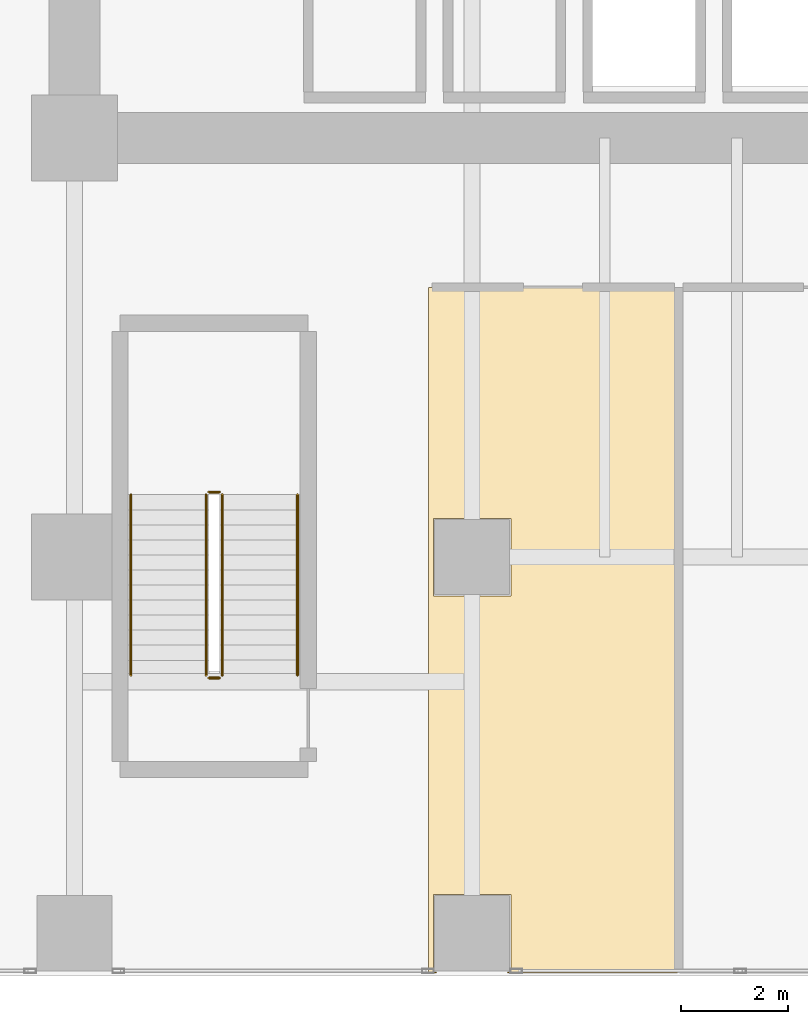
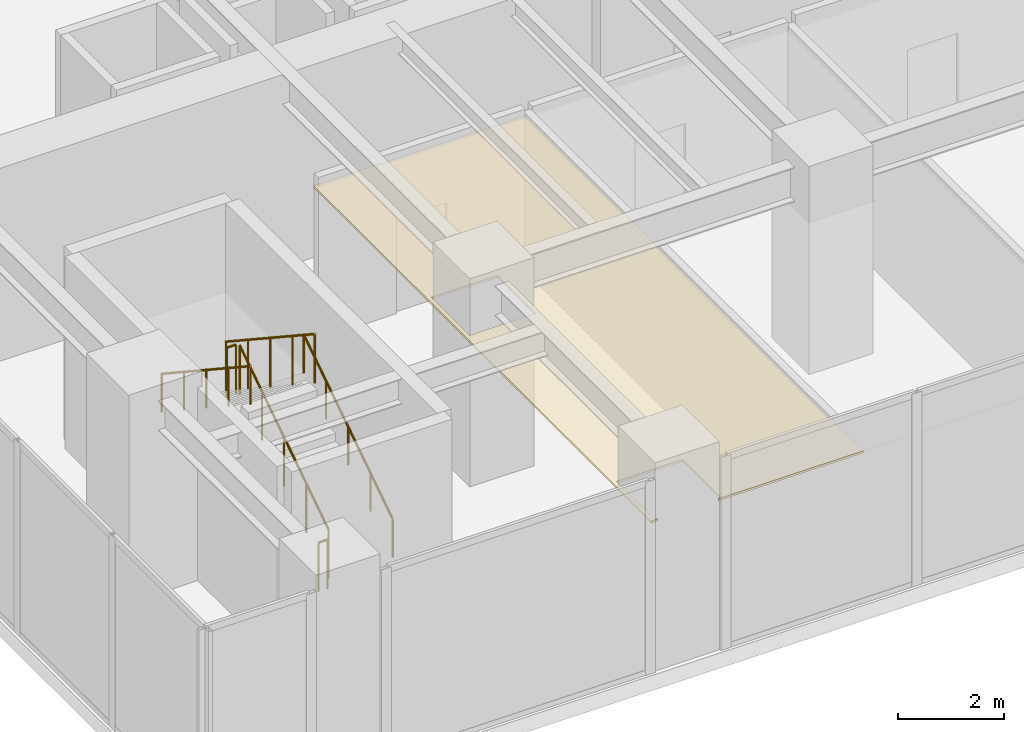
# One storey, part 31 of 33: 6 railings, 1 covering.
"""IFC4 building model written with IfcOpenShell, lengths in metres."""

from ifc_helpers import new_model, si_unit, direction, frame, origin, origin_2d, place, context, subcontext, project, spatial, polyline, circle, outline, extrude, source, transform, mapped, material, layer, layer_set, type_object, type_shapes, element, save


model = new_model("IFC4")

# Units and contexts
model_context = context("Model", 3, precision=1e-05, world=origin(), true_north=direction((0.0, 1.0)))
body_context = subcontext(model_context, "Body", "Model", "MODEL_VIEW")
ifc_project = project(units=[si_unit("LENGTHUNIT", "METRE"), si_unit("AREAUNIT", "SQUARE_METRE"), si_unit("VOLUMEUNIT", "CUBIC_METRE"), si_unit("PLANEANGLEUNIT", "RADIAN"), si_unit("MASSUNIT", "GRAM", prefix="KILO")], contexts=[model_context])

# Site, building, storey
site_placement = place(None, origin())
site = spatial("IfcSite", under=ifc_project, at=site_placement, CompositionType="ELEMENT")
building_placement = place(site_placement, origin())
building = spatial("IfcBuilding", under=site, at=building_placement, Name="Haelvirn Gate Laboratories", CompositionType="ELEMENT")
storey_placement = place(building_placement, frame((0.0, 0.0, 10.199951171875)))
storey = spatial("IfcBuildingStorey", under=building, at=storey_placement, Name="L03", CompositionType="ELEMENT", Elevation=10.199951171875)

# Covering
ifc_material_1 = material(Name="Washable cleanroom gasketed aluminium ceiling", Category="aluminium")
ifc_layer = layer(ifc_material_1, 0.050048828125, Name="COV-CEIL-CLN")
ifc_layer_set = layer_set([ifc_layer], Name="Washable cleanroom gasketed aluminium ceiling")
covering_type = type_object("IfcCoveringType", Name="COV-CEIL-CLN", PredefinedType="CEILING", material=ifc_layer_set)
covering_placement = place(storey_placement, frame((0.0, 0.0, 3.469970703125)))
element("IfcCovering", 1, at=covering_placement, inside=storey, type_object=covering_type, Name="L03 Laboratory Acoustic Ceiling CEIL-SP-L03-PODS-E-1", PredefinedType="CEILING", context=body_context, shape_type="SweptSolid", body=[
    extrude(outline(polyline([(60.659912109375, -0.719970703125), (60.719970703125, -0.719970703125), (60.719970703125, 0.719970703125), (59.280029296875, 0.719970703125), (59.280029296875, -0.719970703125), (59.340087890625, -0.719970703125), (59.340087890625, -0.739990234375), (59.18994140625, -0.739990234375), (59.18994140625, 12.02001953125), (63.822021484375, 12.02001953125), (63.822021484375, -0.739990234375), (60.659912109375, -0.739990234375), (60.659912109375, -0.719970703125)]), holes=[polyline([(59.280029296875, 7.719970703125), (59.280029296875, 6.280029296875), (60.719970703125, 6.280029296875), (60.719970703125, 7.719970703125), (59.280029296875, 7.719970703125)])]), origin(), (0.0, 0.0, 1.0), 0.050048828125),
])

# Railings
ifc_material_2 = material(Name="Galvanised steel SM355 & stainless top rail", Category="steel")
railing_type_1 = type_object("IfcRailingType", Name="RL-GUARD-1150", PredefinedType="GUARDRAIL", material=ifc_material_2)
shared_shape_1 = source(origin(), body_context, "Body", "SweptSolid", [
    extrude(circle(Radius=0.02392578125, at=origin_2d()), frame((0.0, 0.0, 1.1259765625), z_axis=(-1.0, 0.0, 0.0), x_axis=(0.0, -1.0, 0.0)), (0.0, 0.0, 1.0), 0.199951171875),
    extrude(circle(Radius=0.02099609375, at=origin_2d()), origin(), (0.0, 0.0, 1.0), 1.101806640625),
    extrude(circle(Radius=0.02099609375, at=origin_2d()), frame((-0.199951171875, 0.0, 0.0)), (0.0, 0.0, 1.0), 1.101806640625),
])
for number, where, name in (
    (2, (55.300048828125, 8.2099609375, 2.400146484375), "L03 ST4 stair guard 2"),
    (3, (55.300048828125, 4.75, 0.0), "L03 ST4 stair guard 4"),
):
    element("IfcRailing", number, at=place(storey_placement, frame(where)), inside=storey, type_object=railing_type_1, Name=name, PredefinedType="GUARDRAIL", context=body_context, shape_type="MappedRepresentation", body=[
        mapped(shared_shape_1, transform((0.0, 0.0, 0.0), scale=1.0)),
    ])
shared_shape_2 = source(origin(), body_context, "Body", "SweptSolid", [
    extrude(circle(Radius=0.02392578125, at=origin_2d()), frame((0.0, 0.0, 1.1259765625), z_axis=(0.0, -0.834858096282, 0.550465220583), x_axis=(1.0, 0.0, 0.0)), (0.0, 0.0, 1.0), 4.0244140625),
    extrude(circle(Radius=0.02099609375, at=origin_2d()), origin(), (0.0, 0.0, 1.0), 1.101806640625),
    extrude(circle(Radius=0.02099609375, at=origin_2d()), frame((0.0, -0.83984375, 0.5537109375)), (0.0, 0.0, 1.0), 1.101806640625),
    extrude(circle(Radius=0.02099609375, at=origin_2d()), frame((0.0, -1.679931640625, 1.107666015625)), (0.0, 0.0, 1.0), 1.101806640625),
    extrude(circle(Radius=0.02099609375, at=origin_2d()), frame((0.0, -2.52001953125, 1.66162109375)), (0.0, 0.0, 1.0), 1.101806640625),
    extrude(circle(Radius=0.02099609375, at=origin_2d()), frame((0.0, -3.35986328125, 2.21533203125)), (0.0, 0.0, 1.0), 1.101806640625),
])
railing_1_placement = place(storey_placement, frame((55.050048828125, 8.159912109375, 2.584716796875)))
element("IfcRailing", 4, at=railing_1_placement, inside=storey, type_object=railing_type_1, Name="L03 ST4 stair guard 3", PredefinedType="GUARDRAIL", context=body_context, shape_type="MappedRepresentation", body=[
    mapped(shared_shape_2, transform((0.0, 0.0, 0.0), scale=1.0)),
])
ifc_material_3 = material(Name="Brushed stainless steel 316L", Category="steel")
railing_type_2 = type_object("IfcRailingType", Name="RL-HAND-920", PredefinedType="HANDRAIL", material=ifc_material_3)
shared_shape_3 = source(origin(), body_context, "Body", "SweptSolid", [
    extrude(circle(Radius=0.02392578125, at=origin_2d()), frame((0.0, 0.0, 0.8759765625), z_axis=(0.0, -0.834858096282, 0.550465220583), x_axis=(1.0, 0.0, 0.0)), (0.0, 0.0, 1.0), 4.0244140625),
    extrude(circle(Radius=0.02099609375, at=origin_2d()), origin(), (0.0, 0.0, 1.0), 0.851806640625),
    extrude(circle(Radius=0.02099609375, at=origin_2d()), frame((0.0, -0.83984375, 0.5537109375)), (0.0, 0.0, 1.0), 0.851806640625),
    extrude(circle(Radius=0.02099609375, at=origin_2d()), frame((0.0, -1.679931640625, 1.107666015625)), (0.0, 0.0, 1.0), 0.851806640625),
    extrude(circle(Radius=0.02099609375, at=origin_2d()), frame((0.0, -2.52001953125, 1.66162109375)), (0.0, 0.0, 1.0), 0.851806640625),
    extrude(circle(Radius=0.02099609375, at=origin_2d()), frame((0.0, -3.35986328125, 2.21533203125)), (0.0, 0.0, 1.0), 0.851806640625),
])
railing_2_placement = place(storey_placement, frame((53.64990234375, 8.159912109375, 2.584716796875)))
element("IfcRailing", 5, at=railing_2_placement, inside=storey, type_object=railing_type_2, Name="L03 ST4 stair handrail 2", PredefinedType="HANDRAIL", context=body_context, shape_type="MappedRepresentation", body=[
    mapped(shared_shape_3, transform((0.0, 0.0, 0.0), scale=1.0)),
])
shared_shape_4 = source(origin(), body_context, "Body", "SweptSolid", [
    extrude(circle(Radius=0.02392578125, at=origin_2d()), frame((0.0, 0.0, 1.1259765625), z_axis=(0.0, 0.83483021737, 0.550507500554), x_axis=(-1.0, 0.0, 0.0)), (0.0, 0.0, 1.0), 4.024658203125),
    extrude(circle(Radius=0.02099609375, at=origin_2d()), origin(), (0.0, 0.0, 1.0), 1.101806640625),
    extrude(circle(Radius=0.02099609375, at=origin_2d()), frame((0.0, 0.83984375, 0.553955078125)), (0.0, 0.0, 1.0), 1.101806640625),
    extrude(circle(Radius=0.02099609375, at=origin_2d()), frame((0.0, 1.679931640625, 1.10791015625)), (0.0, 0.0, 1.0), 1.101806640625),
    extrude(circle(Radius=0.02099609375, at=origin_2d()), frame((0.0, 2.52001953125, 1.66162109375)), (0.0, 0.0, 1.0), 1.101806640625),
    extrude(circle(Radius=0.02099609375, at=origin_2d()), frame((0.0, 3.35986328125, 2.215576171875)), (0.0, 0.0, 1.0), 1.101806640625),
])
type_shapes(railing_type_1, [shared_shape_1, shared_shape_2, shared_shape_4])
railing_3_placement = place(storey_placement, frame((55.35009765625, 4.800048828125, 0.1845703125)))
element("IfcRailing", 6, at=railing_3_placement, inside=storey, type_object=railing_type_1, Name="L03 ST4 stair guard 1", PredefinedType="GUARDRAIL", context=body_context, shape_type="MappedRepresentation", body=[
    mapped(shared_shape_4, transform((0.0, 0.0, 0.0), scale=1.0)),
])
shared_shape_5 = source(origin(), body_context, "Body", "SweptSolid", [
    extrude(circle(Radius=0.02392578125, at=origin_2d()), frame((0.0, 0.0, 0.8759765625), z_axis=(0.0, 0.83483021737, 0.550507500554), x_axis=(-1.0, 0.0, 0.0)), (0.0, 0.0, 1.0), 4.024658203125),
    extrude(circle(Radius=0.02099609375, at=origin_2d()), origin(), (0.0, 0.0, 1.0), 0.851806640625),
    extrude(circle(Radius=0.02099609375, at=origin_2d()), frame((0.0, 0.83984375, 0.553955078125)), (0.0, 0.0, 1.0), 0.851806640625),
    extrude(circle(Radius=0.02099609375, at=origin_2d()), frame((0.0, 1.679931640625, 1.10791015625)), (0.0, 0.0, 1.0), 0.851806640625),
    extrude(circle(Radius=0.02099609375, at=origin_2d()), frame((0.0, 2.52001953125, 1.66162109375)), (0.0, 0.0, 1.0), 0.851806640625),
    extrude(circle(Radius=0.02099609375, at=origin_2d()), frame((0.0, 3.35986328125, 2.215576171875)), (0.0, 0.0, 1.0), 0.851806640625),
])
type_shapes(railing_type_2, [shared_shape_3, shared_shape_5])
railing_4_placement = place(storey_placement, frame((56.75, 4.800048828125, 0.1845703125)))
element("IfcRailing", 7, at=railing_4_placement, inside=storey, type_object=railing_type_2, Name="L03 ST4 stair handrail 1", PredefinedType="HANDRAIL", context=body_context, shape_type="MappedRepresentation", body=[
    mapped(shared_shape_5, transform((0.0, 0.0, 0.0), scale=1.0)),
])

save(model, "model.ifc")
